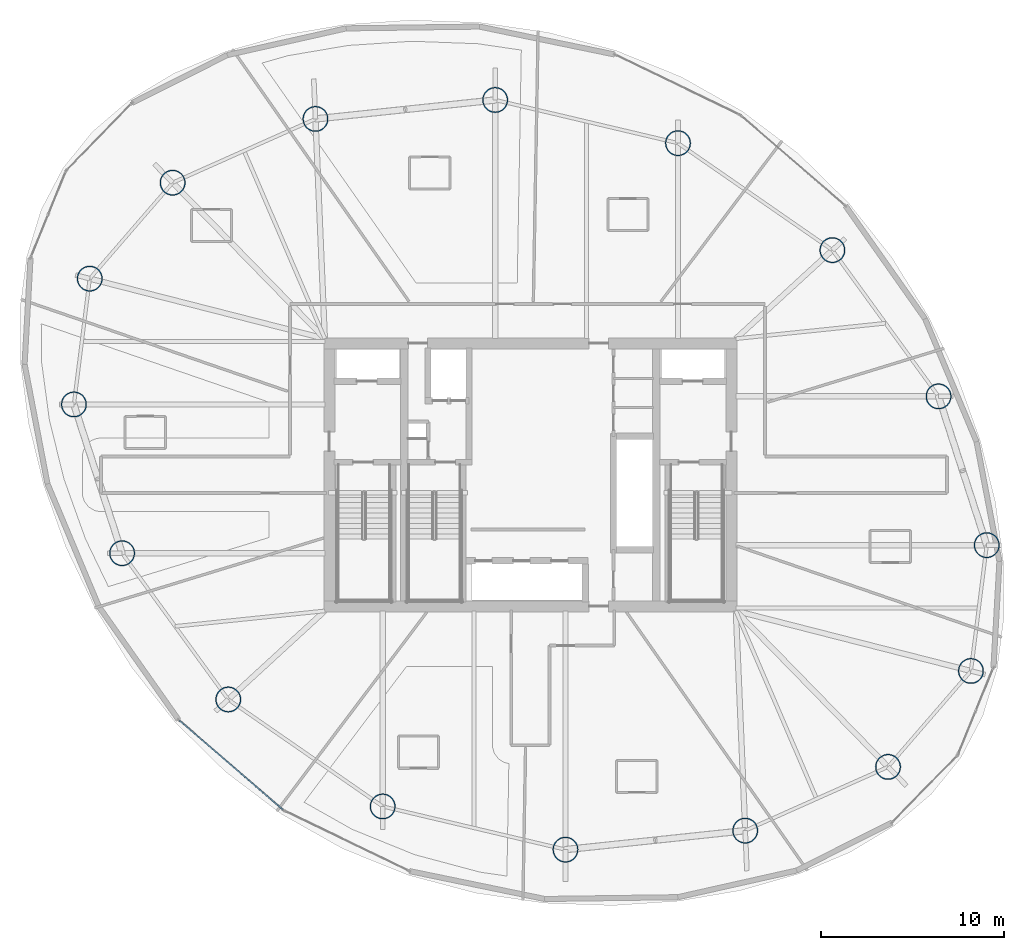
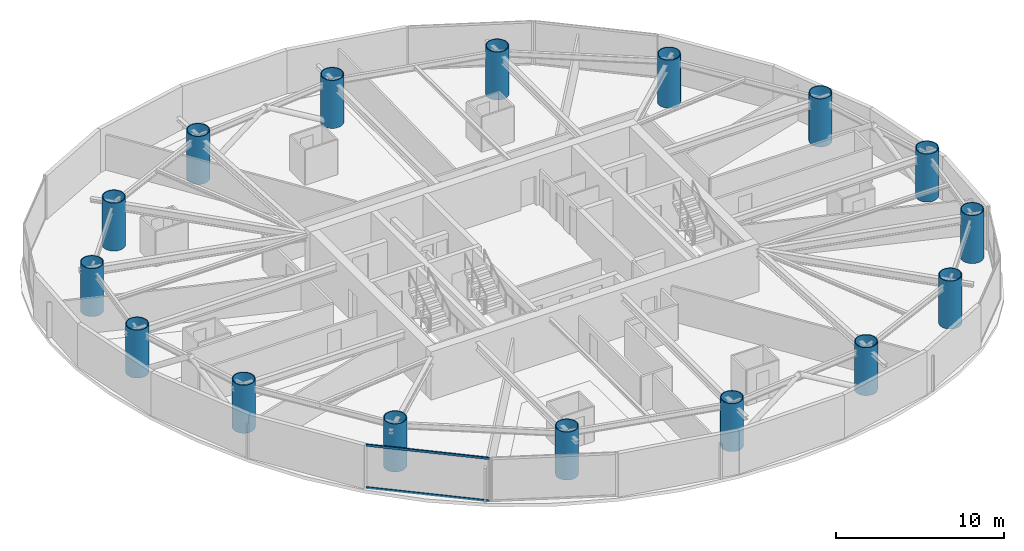
# One storey, part 1 of 21: 16 columns, 2 members, 1 element without a shape of its own.
"""IFC4 building model written with IfcOpenShell, lengths in metres."""

from ifc_helpers import new_model, si_unit, direction, frame, origin, origin_2d, place, context, subcontext, project, spatial, hollow_rectangle, hollow_circle, extrude, material, layer, layer_set, material_profile, profile_set, type_object, element, aggregate, save


model = new_model("IFC4")

# Units and contexts
model_context = context("Model", 3, precision=1e-05, world=origin(), true_north=direction((0.0, 1.0)))
body_context = subcontext(model_context, "Body", "Model", "MODEL_VIEW")
ifc_project = project(units=[si_unit("LENGTHUNIT", "METRE"), si_unit("AREAUNIT", "SQUARE_METRE"), si_unit("VOLUMEUNIT", "CUBIC_METRE"), si_unit("PLANEANGLEUNIT", "RADIAN"), si_unit("MASSUNIT", "GRAM", prefix="KILO")], contexts=[model_context])

# Site, building, storey
site_placement = place(None, origin())
site = spatial("IfcSite", under=ifc_project, at=site_placement, CompositionType="ELEMENT")
building_placement = place(site_placement, origin())
building = spatial("IfcBuilding", under=site, at=building_placement, Name="Bramvorn Convention Spire", CompositionType="ELEMENT")
storey_placement = place(building_placement, frame((0.0, 0.0, 162.300048828125)))
storey = spatial("IfcBuildingStorey", under=building, at=storey_placement, Name="L41", CompositionType="ELEMENT", Elevation=162.300048828125)

# Columns
ifc_material_1 = material(Name="Steel CSA G40.21 Grade 350 (350W)", Category="steel")
ifc_material_profile_1 = material_profile(ifc_material_1, hollow_circle(Radius=0.699951171875, WallThickness=0.054931640625, at=origin_2d()))
ifc_profile_set_1 = profile_set([ifc_material_profile_1], Name="Steel CSA G40.21 Grade 350 (350W) - CFT1400X55")
column_type = type_object("IfcColumnType", Name="COL-CFT1400X55", PredefinedType="COLUMN", material=ifc_profile_set_1)
for number, where, z_axis, x_axis, name in (
    (1, (62.11767578125, 15.26220703125, 0.0), (0.0, 0.0, 1.0), (1.0, 0.0, 0.0), "L41 composite CFT mega-column MC01"),
    (2, (62.983642578125, 22.148193359375, 0.0), (0.0, 0.0, 1.0), (1.0, 0.0, 0.0), "L41 composite CFT mega-column MC02"),
    (3, (60.345703125, 30.293212890625, 0.0), (0.0, 0.0, 1.0), (1.0, 0.0, 0.0), "L41 composite CFT mega-column MC03"),
    (4, (54.534912109375, 38.299072265625, 0.0), (0.0, 0.0, 1.0), (1.0, 0.0, 0.0), "L41 composite CFT mega-column MC04"),
    (5, (46.082763671875, 44.154052734375, 0.0), (0.0, 0.0, 1.0), (1.0, 0.0, 0.0), "L41 composite CFT mega-column MC05"),
    (6, (36.075927734375, 46.517333984375, 0.0), (0.0, 0.0, 1.0), (1.0, 0.0, 0.0), "L41 composite CFT mega-column MC06"),
    (7, (26.23828125, 45.478759765625, 0.0), (0.0, 0.0, 1.0), (1.0, 0.0, 0.0), "L41 composite CFT mega-column MC07"),
    (8, (18.420166015625, 41.9892578125, 0.0), (0.0, 0.0, 1.0), (1.0, 0.0, 0.0), "L41 composite CFT mega-column MC08"),
    (9, (13.88232421875, 36.73779296875, 0.0), (0.0, 0.0, 1.0), (1.0, 0.0, 0.0), "L41 composite CFT mega-column MC09"),
    (10, (13.016357421875, 29.851806640625, 0.0), (0.0, 0.0, 1.0), (1.0, 0.0, 0.0), "L41 composite CFT mega-column MC10"),
    (11, (15.654296875, 21.706787109375, 0.0), (0.0, 0.0, 1.0), (1.0, 0.0, 0.0), "L41 composite CFT mega-column MC11"),
    (12, (21.465087890625, 13.700927734375, 0.0), (0.0, 0.0, 1.0), (1.0, 0.0, 0.0), "L41 composite CFT mega-column MC12"),
    (13, (29.917236328125, 7.845947265625, 0.0), (0.0, 0.0, 1.0), (1.0, 0.0, 0.0), "L41 composite CFT mega-column MC13"),
    (14, (39.924072265625, 5.482666015625, 0.0), (0.0, 0.0, 1.0), (1.0, 0.0, 0.0), "L41 composite CFT mega-column MC14"),
    (15, (49.76171875, 6.521240234375, 0.0), (0.0, 0.0, 1.0), (1.0, 0.0, 0.0), "L41 composite CFT mega-column MC15"),
    (16, (57.579833984375, 10.0107421875, 0.0), (0.0, 0.0, 1.0), (1.0, 0.0, 0.0), "L41 composite CFT mega-column MC16"),
):
    element("IfcColumn", number, at=place(storey_placement, frame(where, z_axis=z_axis, x_axis=x_axis)), inside=storey, type_object=column_type, Name=name, PredefinedType="COLUMN", context=body_context, shape_type="SweptSolid", body=[
        extrude(hollow_circle(Radius=0.699951171875, WallThickness=0.054931640625, at=origin_2d()), origin(), (0.0, 0.0, 1.0), 3.5),
    ])

# Curtain wall, members
ifc_material_2 = material(Name="Anodised Bronze Unitised Curtain Wall", Category="aluminium")
ifc_layer = layer(ifc_material_2, 0.179931640625)
ifc_layer_set = layer_set([ifc_layer], Name="Anodised Bronze Unitised Curtain Wall - CW-HTL-FRIT")
curtain_wall_type = type_object("IfcCurtainWallType", Name="CW-HTL-FRIT", PredefinedType="USERDEFINED", material=ifc_layer_set)
curtain_wall_placement = place(storey_placement, origin())
curtain_wall = element("IfcCurtainWall", 17, at=curtain_wall_placement, inside=storey, type_object=curtain_wall_type, Name="L41 fritted glass curtain wall 18", ObjectType="UNITISED CURTAIN WALL", PredefinedType="USERDEFINED")
ifc_material_3 = material(Name="Anodised Bronze Aluminium 6063-T6", Category="aluminium")
ifc_material_profile_2 = material_profile(ifc_material_3, hollow_rectangle(XDim=0.080078125, YDim=0.159912109375, WallThickness=0.00390625, InnerFilletRadius=0.0009765625, OuterFilletRadius=0.00390625, at=origin_2d()))
ifc_profile_set_2 = profile_set([ifc_material_profile_2], Name="Anodised Bronze Aluminium 6063-T6 - CWT80X160")
member_type = type_object("IfcMemberType", Name="CW-TRN-150", PredefinedType="USERDEFINED", material=ifc_profile_set_2)
member_1_placement = place(storey_placement, frame((24.46826171875, 7.657958984375, 0.030029296875), z_axis=(-0.7575876329, 0.652733466644, 0.0), x_axis=(-0.652733466644, -0.7575876329, 0.0)))
member_1 = element("IfcMember", 18, at=member_1_placement, type_object=member_type, Name="CW2 transom 1.1", ObjectType="TRANSOM", PredefinedType="USERDEFINED", context=body_context, shape_type="SweptSolid", body=[
    extrude(hollow_rectangle(XDim=0.080078125, YDim=0.159912109375, WallThickness=0.00390625, InnerFilletRadius=0.0009765625, OuterFilletRadius=0.00390625, at=origin_2d()), origin(), (0.0, 0.0, 1.0), 7.497314453125),
])
member_2_placement = place(storey_placement, frame((24.46826171875, 7.657958984375, 3.119873046875), z_axis=(-0.7575876329, 0.652733466644, 0.0), x_axis=(-0.652733466644, -0.7575876329, 0.0)))
member_2 = element("IfcMember", 19, at=member_2_placement, type_object=member_type, Name="CW2 transom 1.2", ObjectType="TRANSOM", PredefinedType="USERDEFINED", context=body_context, shape_type="SweptSolid", body=[
    extrude(hollow_rectangle(XDim=0.080078125, YDim=0.159912109375, WallThickness=0.00390625, InnerFilletRadius=0.0009765625, OuterFilletRadius=0.00390625, at=origin_2d()), origin(), (0.0, 0.0, 1.0), 7.497314453125),
])
aggregate(curtain_wall, [member_1, member_2])

save(model, "model.ifc")
